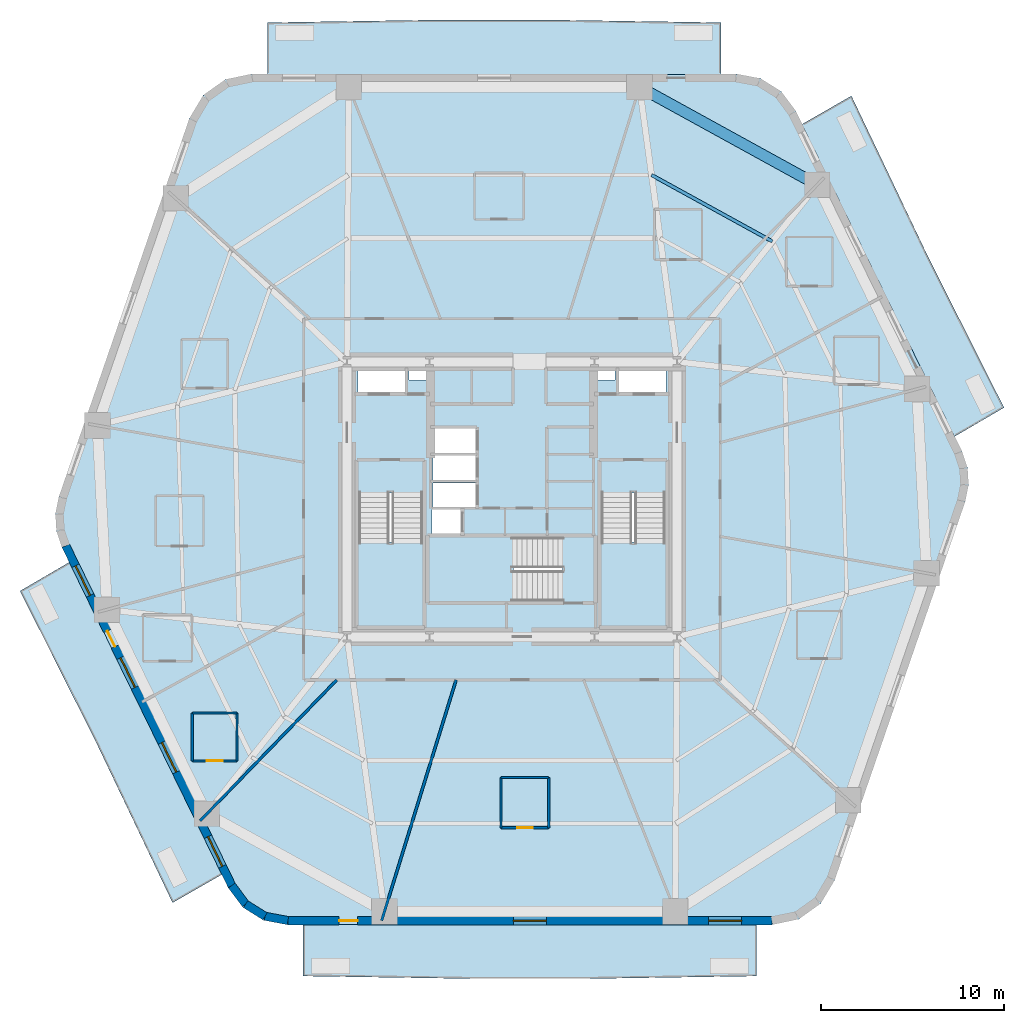
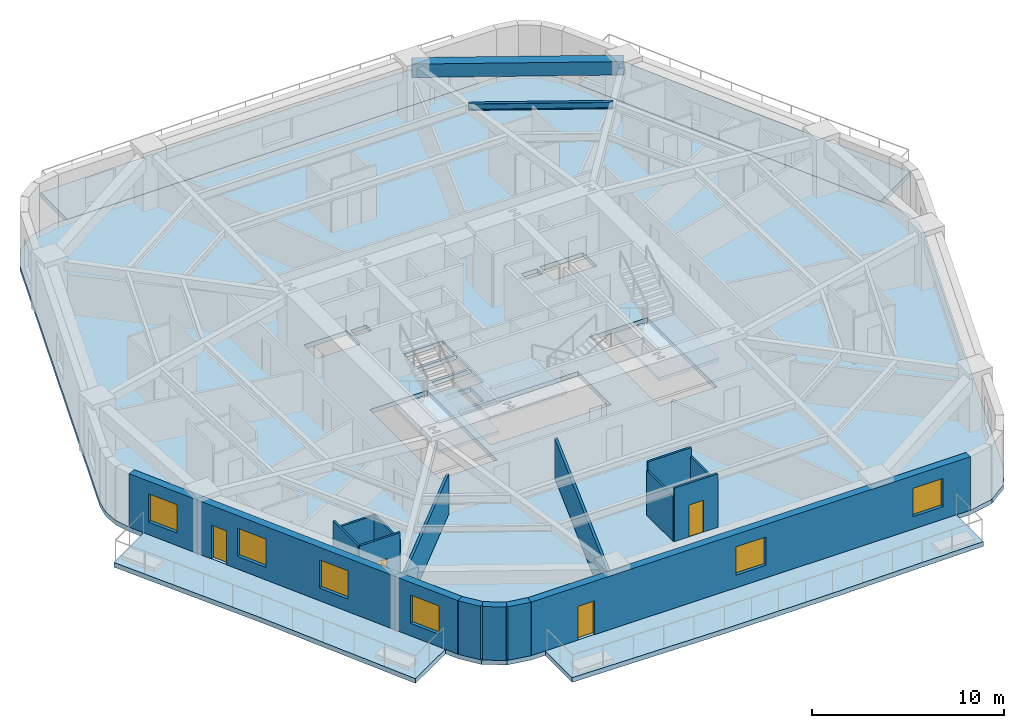
# One storey, part 2 of 10: 15 walls, 8 slabs, 6 windows, 4 doors, 2 beams, 10 openings, 3 elements without a shape of their own.
"""IFC4 building model written with IfcOpenShell, lengths in metres."""

from ifc_helpers import new_model, si_unit, direction, frame, frame_2d, origin, origin_2d, place, context, subcontext, project, spatial, polyline, rectangle, i_section, outline, extrude, material, layer, layer_set, material_profile, profile_set, type_object, element, fill, aggregate, save


model = new_model("IFC4")

# Units and contexts
model_context = context("Model", 3, precision=1e-05, world=origin(), true_north=direction((0.0, 1.0)))
body_context = subcontext(model_context, "Body", "Model", "MODEL_VIEW")
ifc_project = project(units=[si_unit("LENGTHUNIT", "METRE"), si_unit("AREAUNIT", "SQUARE_METRE"), si_unit("VOLUMEUNIT", "CUBIC_METRE"), si_unit("PLANEANGLEUNIT", "RADIAN"), si_unit("MASSUNIT", "GRAM", prefix="KILO")], contexts=[model_context])

# Site, building, storey
site_placement = place(None, origin())
site = spatial("IfcSite", under=ifc_project, at=site_placement, CompositionType="ELEMENT")
building_placement = place(site_placement, origin())
building = spatial("IfcBuilding", under=site, at=building_placement, Name="Kilnhurst Terrace Hotel", CompositionType="ELEMENT")
storey_placement = place(building_placement, frame((0.0, 0.0, 63.800048828125)))
storey = spatial("IfcBuildingStorey", under=building, at=storey_placement, Name="L14", CompositionType="ELEMENT", Elevation=63.800048828125)

# Beams
ifc_material_1 = material(Name="Concrete C50/60", Category="concrete")
ifc_material_profile_1 = material_profile(ifc_material_1, rectangle(XDim=0.60009765625, YDim=0.85009765625, at=origin_2d()), Name="RC600X850")
ifc_profile_set_1 = profile_set([ifc_material_profile_1], Name="Concrete C50/60")
beam_type_1 = type_object("IfcBeamType", Name="BM-SPN-600X850", PredefinedType="SPANDREL", material=ifc_profile_set_1)
beam_1_placement = place(storey_placement, frame((16.64306640625, 17.152099609375, 2.974853515625), z_axis=(-0.876235488803, 0.481883147829, 0.0), x_axis=(-0.481883147829, -0.876235488803, 0.0)))
element("IfcBeam", 1, at=beam_1_placement, inside=storey, type_object=beam_type_1, Name="L14 Perimeter Spandrel Beam 6", PredefinedType="SPANDREL", context=body_context, shape_type="SweptSolid", body=[
    extrude(rectangle(XDim=0.60009765625, YDim=0.85009765625, at=origin_2d()), origin(), (0.0, 0.0, 1.0), 11.056396484375),
])
ifc_material_2 = material(Name="Steel ASTM A992 Grade 50", Category="steel")
ifc_material_profile_2 = material_profile(ifc_material_2, i_section(OverallWidth=0.180908203125, OverallDepth=0.417236328125, WebThickness=0.010986328125, FlangeThickness=0.018310546875, at=origin_2d()), Name="W16X57")
ifc_profile_set_2 = profile_set([ifc_material_profile_2], Name="Steel ASTM A992 Grade 50")
beam_type_2 = type_object("IfcBeamType", Name="JST-STL-W16X57", PredefinedType="JOIST", material=ifc_profile_set_2)
beam_2_placement = place(storey_placement, frame((14.197265625, 14.0634765625, 3.19091796875), z_axis=(-0.876246073632, 0.481863900334, 0.0), x_axis=(-0.481863900334, -0.876246073632, 0.0)))
element("IfcBeam", 2, at=beam_2_placement, inside=storey, type_object=beam_type_2, Name="L14 Secondary Floor Steel Joist OUT.6", PredefinedType="JOIST", context=body_context, shape_type="SweptSolid", body=[
    extrude(i_section(OverallWidth=0.180908203125, OverallDepth=0.417236328125, WebThickness=0.010986328125, FlangeThickness=0.018310546875, at=origin_2d()), origin(), (0.0, 0.0, 1.0), 7.518310546875),
])

# Slabs
ifc_layer_1 = layer(ifc_material_1, 0.300048828125, Name="Concrete C50/60")
ifc_layer_set_1 = layer_set([ifc_layer_1], Name="Concrete C50/60")
slab_type_1 = type_object("IfcSlabType", Name="SLB-BAL-300", PredefinedType="FLOOR", material=ifc_layer_set_1)
slab_1_placement = place(storey_placement, frame((0.0, 0.0, -0.300048828125)))
element("IfcSlab", 3, at=slab_1_placement, inside=storey, type_object=slab_type_1, Name="L14 Cantilevered Planted Terrace Slab BAL-L1A", PredefinedType="FLOOR", context=body_context, shape_type="SweptSolid", body=[
    extrude(outline(polyline([(22.697021484375, 13.21142578125), (26.830810546875, 5.0), (24.128662109375, 3.42333984375), (15.809814453125, 20.452880859375), (18.509521484375, 22.0), (22.697021484375, 13.21142578125)])), origin(), (0.0, 0.0, 1.0), 0.300048828125),
])
slab_2_placement = place(storey_placement, frame((0.0, 0.0, -0.300048828125)))
element("IfcSlab", 4, at=slab_2_placement, inside=storey, type_object=slab_type_1, Name="L14 Cantilevered Planted Terrace Slab BAL-L1B", PredefinedType="FLOOR", context=body_context, shape_type="SweptSolid", body=[
    extrude(outline(polyline([(2.279541015625, 26.139892578125), (11.39208984375, 26.0), (11.39208984375, 23.179931640625), (-13.341552734375, 23.179931640625), (-13.341552734375, 26.0), (-4.229248046875, 26.139892578125), (2.279541015625, 26.139892578125)])), origin(), (0.0, 0.0, 1.0), 0.300048828125),
])
slab_3_placement = place(storey_placement, frame((0.0, 0.0, -0.300048828125)))
element("IfcSlab", 5, at=slab_3_placement, inside=storey, type_object=slab_type_1, Name="L14 Cantilevered Planted Terrace Slab BAL-L2A", PredefinedType="FLOOR", context=body_context, shape_type="SweptSolid", body=[
    extrude(outline(polyline([(-26.830810546875, -5.0), (-24.128662109375, -3.42333984375), (-15.809814453125, -20.452880859375), (-18.509521484375, -22.0), (-22.697021484375, -13.21142578125), (-26.830810546875, -5.0)])), origin(), (0.0, 0.0, 1.0), 0.300048828125),
])
slab_4_placement = place(storey_placement, frame((0.0, 0.0, -0.300048828125)))
element("IfcSlab", 6, at=slab_4_placement, inside=storey, type_object=slab_type_1, Name="L14 Cantilevered Planted Terrace Slab BAL-L2B", PredefinedType="FLOOR", context=body_context, shape_type="SweptSolid", body=[
    extrude(outline(polyline([(-2.279541015625, -26.139892578125), (-11.39208984375, -26.0), (-11.39208984375, -23.179931640625), (13.341552734375, -23.179931640625), (13.341552734375, -26.0), (4.229248046875, -26.139892578125), (-2.279541015625, -26.139892578125)])), origin(), (0.0, 0.0, 1.0), 0.300048828125),
])
ifc_layer_2 = layer(ifc_material_1, 0.280029296875, Name="Concrete C50/60")
ifc_layer_set_2 = layer_set([ifc_layer_2], Name="Concrete C50/60")
slab_type_2 = type_object("IfcSlabType", Name="SLB-FLR-280", PredefinedType="FLOOR", material=ifc_layer_set_2)
slab_5_placement = place(storey_placement, frame((0.0, 0.0, -0.280029296875)))
element("IfcSlab", 7, at=slab_5_placement, inside=storey, type_object=slab_type_2, Name="L14 Structural Floor Slab", PredefinedType="FLOOR", context=body_context, shape_type="SweptSolid", body=[
    extrude(outline(polyline([(-15.476806640625, -21.18017578125), (-14.680908203125, -22.248046875), (-13.551025390625, -22.95361328125), (-12.241943359375, -23.199951171875), (14.191650390625, -23.199951171875), (15.635986328125, -22.8974609375), (16.837890625, -22.040771484375), (17.5947265625, -20.773681640625), (24.712890625, -0.135986328125), (24.90087890625, 0.7861328125), (24.843505859375, 1.7255859375), (24.54443359375, 2.617919921875), (15.476806640625, 21.18017578125), (14.680908203125, 22.248046875), (13.551025390625, 22.95361328125), (12.241943359375, 23.199951171875), (-14.191650390625, 23.199951171875), (-15.635986328125, 22.8974609375), (-16.837890625, 22.040771484375), (-17.5947265625, 20.773681640625), (-24.712890625, 0.135986328125), (-24.90087890625, -0.7861328125), (-24.843505859375, -1.7255859375), (-24.54443359375, -2.617919921875), (-15.476806640625, -21.18017578125)]), holes=[polyline([(-8.35009765625, 0.35498046875), (-4.8798828125, 0.35498046875), (-4.8798828125, -6.89990234375), (-8.35009765625, -6.89990234375), (-8.35009765625, 0.35498046875)]), polyline([(-2.800048828125, -1.89990234375), (-4.35009765625, -1.89990234375), (-4.35009765625, -0.550048828125), (-2.800048828125, -0.550048828125), (-2.800048828125, -1.89990234375)]), polyline([(-1.949951171875, -0.429931640625), (-4.300048828125, -0.429931640625), (-4.300048828125, 0.89990234375), (-1.949951171875, 0.89990234375), (-1.949951171875, -0.429931640625)]), polyline([(-4.300048828125, 1.050048828125), (-4.300048828125, 2.3798828125), (-1.949951171875, 2.3798828125), (-1.949951171875, 1.050048828125), (-4.300048828125, 1.050048828125)]), polyline([(-8.39990234375, 5.75), (-8.39990234375, 7.14990234375), (-5.800048828125, 7.14990234375), (-5.800048828125, 5.75), (-8.39990234375, 5.75)]), polyline([(-4.659912109375, 6.52001953125), (-5.6201171875, 6.52001953125), (-5.6201171875, 7.080078125), (-4.659912109375, 7.080078125), (-4.659912109375, 6.52001953125)]), polyline([(2.7548828125, -5.550048828125), (-4.5, -5.550048828125), (-4.5, -2.080078125), (2.7548828125, -2.080078125), (2.7548828125, -5.550048828125)]), polyline([(8.35009765625, 0.35498046875), (8.35009765625, -6.89990234375), (4.8798828125, -6.89990234375), (4.8798828125, 0.35498046875), (8.35009765625, 0.35498046875)]), polyline([(-1.949951171875, 2.530029296875), (-4.300048828125, 2.530029296875), (-4.300048828125, 3.860107421875), (-1.949951171875, 3.860107421875), (-1.949951171875, 2.530029296875)]), polyline([(5.800048828125, 5.75), (5.800048828125, 7.14990234375), (8.39990234375, 7.14990234375), (8.39990234375, 5.75), (5.800048828125, 5.75)]), polyline([(4.659912109375, 6.52001953125), (4.659912109375, 7.080078125), (5.6201171875, 7.080078125), (5.6201171875, 6.52001953125), (4.659912109375, 6.52001953125)])]), origin(), (0.0, 0.0, 1.0), 0.280029296875),
])

# Stair, slab
stair_type = type_object("IfcStairType", Name="STR-CORE-1660", PredefinedType="HALF_TURN_STAIR", material=ifc_material_1)
stair_1_placement = place(storey_placement, origin())
stair_1 = element("IfcStair", 8, at=stair_1_placement, inside=storey, type_object=stair_type, Name="L14 ST-1", PredefinedType="HALF_TURN_STAIR")
ifc_layer_3 = layer(ifc_material_1, 0.199951171875, Name="Concrete C50/60")
ifc_layer_set_3 = layer_set([ifc_layer_3], Name="Concrete C50/60")
slab_type_3 = type_object("IfcSlabType", Name="SLB-ST-LND-200", PredefinedType="LANDING", material=ifc_layer_set_3)
slab_6_placement = place(storey_placement, frame((0.0, 0.0, 1.64990234375)))
slab_6 = element("IfcSlab", 9, at=slab_6_placement, type_object=slab_type_3, Name="ST-1 landing 1", PredefinedType="LANDING", context=body_context, shape_type="SweptSolid", body=[
    extrude(outline(polyline([(-8.429931640625, -2.330078125), (-4.800048828125, -2.330078125), (-4.800048828125, -6.97998046875), (-8.429931640625, -6.97998046875), (-8.429931640625, -2.330078125)])), origin(), (0.0, 0.0, 1.0), 0.199951171875),
])
aggregate(stair_1, [slab_6])

stair_2_placement = place(storey_placement, origin())
stair_2 = element("IfcStair", 10, at=stair_2_placement, inside=storey, type_object=stair_type, Name="L14 ST-2", PredefinedType="HALF_TURN_STAIR")
slab_7_placement = place(storey_placement, frame((0.0, 0.0, 1.64990234375)))
slab_7 = element("IfcSlab", 11, at=slab_7_placement, type_object=slab_type_3, Name="ST-2 landing 1", PredefinedType="LANDING", context=body_context, shape_type="SweptSolid", body=[
    extrude(outline(polyline([(4.800048828125, -2.330078125), (8.429931640625, -2.330078125), (8.429931640625, -6.97998046875), (4.800048828125, -6.97998046875), (4.800048828125, -2.330078125)])), origin(), (0.0, 0.0, 1.0), 0.199951171875),
])
aggregate(stair_2, [slab_7])

stair_3_placement = place(storey_placement, origin())
stair_3 = element("IfcStair", 12, at=stair_3_placement, inside=storey, type_object=stair_type, Name="L14 ST-3", PredefinedType="HALF_TURN_STAIR")
slab_8_placement = place(storey_placement, frame((0.0, 0.0, 1.64990234375)))
slab_8 = element("IfcSlab", 13, at=slab_8_placement, type_object=slab_type_3, Name="ST-3 landing 1", PredefinedType="LANDING", context=body_context, shape_type="SweptSolid", body=[
    extrude(outline(polyline([(0.070068359375, -2.0), (0.070068359375, -5.6298828125), (-4.580078125, -5.6298828125), (-4.580078125, -2.0), (0.070068359375, -2.0)])), origin(), (0.0, 0.0, 1.0), 0.199951171875),
])
aggregate(stair_3, [slab_8])

# Walls
ifc_material_3 = material(Name="Precast concrete C40/50", Category="concrete")
ifc_layer_4 = layer(ifc_material_3, 0.449951171875, Name="Precast concrete C40/50")
ifc_layer_set_4 = layer_set([ifc_layer_4], Name="Precast concrete C40/50")
wall_type_1 = type_object("IfcWallType", Name="WL-BRK-450", PredefinedType="SOLIDWALL", material=ifc_layer_set_4)
wall_1_placement = place(storey_placement, frame((-15.28369140625, -21.0625, 0.0), z_axis=(0.0, 0.0, 1.0), x_axis=(0.597595366449, -0.801797841104, 0.0)))
element("IfcWall", 14, at=wall_1_placement, inside=storey, type_object=wall_type_1, Name="L14 Rounded Corner Brick Wall C1.1", PredefinedType="SOLIDWALL", context=body_context, shape_type="SweptSolid", body=[
    extrude(rectangle(XDim=1.2685546875, YDim=0.449951171875, at=frame_2d((0.63427734375, 0.0))), origin(), (0.0, 0.0, 1.0), 3.39990234375),
])
wall_2_placement = place(storey_placement, frame((-14.525634765625, -22.07958984375, 0.0), z_axis=(0.0, 0.0, 1.0), x_axis=(0.848185203596, -0.529699783275, 0.0)))
element("IfcWall", 15, at=wall_2_placement, inside=storey, type_object=wall_type_1, Name="L14 Rounded Corner Brick Wall C1.2", PredefinedType="SOLIDWALL", context=body_context, shape_type="SweptSolid", body=[
    extrude(rectangle(XDim=1.247314453125, YDim=0.449951171875, at=frame_2d((0.62353515625, 0.0))), origin(), (0.0, 0.0, 1.0), 3.39990234375),
])
wall_3_placement = place(storey_placement, frame((-13.4677734375, -22.740234375, 0.0), z_axis=(0.0, 0.0, 1.0), x_axis=(0.982717174228, -0.185113358451, 0.0)))
element("IfcWall", 16, at=wall_3_placement, inside=storey, type_object=wall_type_1, Name="L14 Rounded Corner Brick Wall C1.3", PredefinedType="SOLIDWALL", context=body_context, shape_type="SweptSolid", body=[
    extrude(rectangle(XDim=1.268798828125, YDim=0.449951171875, at=frame_2d((0.63427734375, 0.0))), origin(), (0.0, 0.0, 1.0), 3.39990234375),
])

# Wall, openings, door, windows
wall_4_placement = place(storey_placement, frame((-12.220947265625, -22.97509765625, 0.0), z_axis=(0.0, 0.0, 1.0), x_axis=(1.0, 0.0, 0.0)))
wall_4 = element("IfcWall", 17, at=wall_4_placement, inside=storey, type_object=wall_type_1, Name="L14 Exterior Brick Facade Wall F1", PredefinedType="SOLIDWALL", context=body_context, shape_type="SweptSolid", body=[
    extrude(rectangle(XDim=26.38916015625, YDim=0.449951171875, at=frame_2d((13.194580078125, 0.0))), origin(), (0.0, 0.0, 1.0), 3.39990234375),
])
opening_1_placement = place(wall_4_placement, frame((2.799072265625, 0.0, 0.0)))
opening_1 = element("IfcOpeningElement", 18, at=opening_1_placement, cuts=wall_4, Name="Opening BD-1000", PredefinedType="OPENING", context=body_context, shape_type="SweptSolid", body=[
    extrude(rectangle(XDim=1.0, YDim=2.14990234375, at=frame_2d((0.5, 1.074951171875))), frame((0.0, 0.23486328125, 0.0), z_axis=(0.0, -1.0, 0.0), x_axis=(1.0, 0.0, 0.0)), (0.0, 0.0, 1.0), 0.469970703125),
])
opening_2_placement = place(wall_4_placement, frame((12.2958984375, 0.0, 0.800048828125)))
opening_2 = element("IfcOpeningElement", 19, at=opening_2_placement, cuts=wall_4, Name="Opening W-01", PredefinedType="OPENING", context=body_context, shape_type="SweptSolid", body=[
    extrude(rectangle(XDim=1.800048828125, YDim=1.800048828125, at=frame_2d((0.89990234375, 0.89990234375))), frame((0.0, 0.23486328125, 0.0), z_axis=(0.0, -1.0, 0.0), x_axis=(1.0, 0.0, 0.0)), (0.0, 0.0, 1.0), 0.469970703125),
])
opening_3_placement = place(wall_4_placement, frame((22.93798828125, 0.0, 0.800048828125)))
opening_3 = element("IfcOpeningElement", 20, at=opening_3_placement, cuts=wall_4, Name="Opening W-01", PredefinedType="OPENING", context=body_context, shape_type="SweptSolid", body=[
    extrude(rectangle(XDim=1.800048828125, YDim=1.800048828125, at=frame_2d((0.89990234375, 0.89990234375))), frame((0.0, 0.23486328125, 0.0), z_axis=(0.0, -1.0, 0.0), x_axis=(1.0, 0.0, 0.0)), (0.0, 0.0, 1.0), 0.469970703125),
])
ifc_material_4 = material(Name="Thermally Broken Bronze Aluminium Alloy 6063-T6 and Laminated Glass", Category="aluminium")
door_type_1 = type_object("IfcDoorType", Name="DR-EXT-BAL-1000", OperationType="NOTDEFINED", PredefinedType="DOOR", material=ifc_material_4)
door_1_placement = place(opening_1_placement, origin())
door_1 = element("IfcDoor", 21, at=door_1_placement, inside=storey, type_object=door_type_1, Name="L14 Planted Balcony Door BAL-L2B", OperationType="SINGLE_SWING_LEFT", OverallHeight=2.14990234375, OverallWidth=1.0, PredefinedType="DOOR", context=body_context, shape_type="SweptSolid", body=[
    extrude(rectangle(XDim=1.0, YDim=2.14990234375, at=frame_2d((0.5, 1.074951171875))), frame((0.0, 0.02490234375, 0.0), z_axis=(0.0, -1.0, 0.0), x_axis=(1.0, 0.0, 0.0)), (0.0, 0.0, 1.0), 0.050048828125),
])
fill(opening_1, door_1)
ifc_material_5 = material(Name="Thermally Broken Bronze Aluminium Alloy 6063-T6 and Low-E Glass", Category="aluminium")
window_type = type_object("IfcWindowType", Name="WIN-1800X1800", PartitioningType="SINGLE_PANEL", PredefinedType="WINDOW", material=ifc_material_5)
window_1_placement = place(opening_2_placement, origin())
window_1 = element("IfcWindow", 22, at=window_1_placement, inside=storey, type_object=window_type, Name="L14 Deep-Set Masonry Window F1.1", OverallHeight=1.800048828125, OverallWidth=1.800048828125, PartitioningType="SINGLE_PANEL", PredefinedType="WINDOW", context=body_context, shape_type="SweptSolid", body=[
    extrude(rectangle(XDim=1.800048828125, YDim=1.800048828125, at=frame_2d((0.89990234375, 0.89990234375))), frame((0.0, 0.030029296875, 0.0), z_axis=(0.0, -1.0, 0.0), x_axis=(1.0, 0.0, 0.0)), (0.0, 0.0, 1.0), 0.06005859375),
])
fill(opening_2, window_1)
window_2_placement = place(opening_3_placement, origin())
window_2 = element("IfcWindow", 23, at=window_2_placement, inside=storey, type_object=window_type, Name="L14 Deep-Set Masonry Window F1.2", OverallHeight=1.800048828125, OverallWidth=1.800048828125, PartitioningType="SINGLE_PANEL", PredefinedType="WINDOW", context=body_context, shape_type="SweptSolid", body=[
    extrude(rectangle(XDim=1.800048828125, YDim=1.800048828125, at=frame_2d((0.89990234375, 0.89990234375))), frame((0.0, 0.030029296875, 0.0), z_axis=(0.0, -1.0, 0.0), x_axis=(1.0, 0.0, 0.0)), (0.0, 0.0, 1.0), 0.06005859375),
])
fill(opening_3, window_2)

wall_5_placement = place(storey_placement, frame((-24.335693359375, -2.532470703125, 0.0), z_axis=(0.0, 0.0, 1.0), x_axis=(0.438931326393, -0.898520612291, 0.0)))
wall_5 = element("IfcWall", 24, at=wall_5_placement, inside=storey, type_object=wall_type_1, Name="L14 Exterior Brick Facade Wall F6", PredefinedType="SOLIDWALL", context=body_context, shape_type="SweptSolid", body=[
    extrude(rectangle(XDim=20.622802734375, YDim=0.449951171875, at=frame_2d((10.3115234375, 0.0))), origin(), (0.0, 0.0, 1.0), 3.39990234375),
])
opening_4_placement = place(wall_5_placement, frame((5.1708984375, 0.0, 0.0)))
opening_4 = element("IfcOpeningElement", 25, at=opening_4_placement, cuts=wall_5, Name="Opening BD-950", PredefinedType="OPENING", context=body_context, shape_type="SweptSolid", body=[
    extrude(rectangle(XDim=0.949951171875, YDim=2.14990234375, at=frame_2d((0.47509765625, 1.074951171875))), frame((0.0, 0.23486328125, 0.0), z_axis=(0.0, -1.0, 0.0), x_axis=(1.0, 0.0, 0.0)), (0.0, 0.0, 1.0), 0.469970703125),
])
opening_5_placement = place(wall_5_placement, frame((1.214111328125, 0.0, 0.800048828125)))
opening_5 = element("IfcOpeningElement", 26, at=opening_5_placement, cuts=wall_5, Name="Opening W-01", PredefinedType="OPENING", context=body_context, shape_type="SweptSolid", body=[
    extrude(rectangle(XDim=1.800048828125, YDim=1.800048828125, at=frame_2d((0.89990234375, 0.89990234375))), frame((0.0, 0.23486328125, 0.0), z_axis=(0.0, -1.0, 0.0), x_axis=(1.0, 0.0, 0.0)), (0.0, 0.0, 1.0), 0.469970703125),
])
opening_6_placement = place(wall_5_placement, frame((6.800048828125, 0.0, 0.800048828125)))
opening_6 = element("IfcOpeningElement", 27, at=opening_6_placement, cuts=wall_5, Name="Opening W-01", PredefinedType="OPENING", context=body_context, shape_type="SweptSolid", body=[
    extrude(rectangle(XDim=1.800048828125, YDim=1.800048828125, at=frame_2d((0.89990234375, 0.89990234375))), frame((0.0, 0.23486328125, 0.0), z_axis=(0.0, -1.0, 0.0), x_axis=(1.0, 0.0, 0.0)), (0.0, 0.0, 1.0), 0.469970703125),
])
opening_7_placement = place(wall_5_placement, frame((11.94189453125, 0.0, 0.800048828125)))
opening_7 = element("IfcOpeningElement", 28, at=opening_7_placement, cuts=wall_5, Name="Opening W-01", PredefinedType="OPENING", context=body_context, shape_type="SweptSolid", body=[
    extrude(rectangle(XDim=1.800048828125, YDim=1.800048828125, at=frame_2d((0.89990234375, 0.89990234375))), frame((0.0, 0.23486328125, 0.0), z_axis=(0.0, -1.0, 0.0), x_axis=(1.0, 0.0, 0.0)), (0.0, 0.0, 1.0), 0.469970703125),
])
opening_8_placement = place(wall_5_placement, frame((17.659912109375, 0.0, 0.800048828125)))
opening_8 = element("IfcOpeningElement", 29, at=opening_8_placement, cuts=wall_5, Name="Opening W-01", PredefinedType="OPENING", context=body_context, shape_type="SweptSolid", body=[
    extrude(rectangle(XDim=1.800048828125, YDim=1.800048828125, at=frame_2d((0.89990234375, 0.89990234375))), frame((0.0, 0.23486328125, 0.0), z_axis=(0.0, -1.0, 0.0), x_axis=(1.0, 0.0, 0.0)), (0.0, 0.0, 1.0), 0.469970703125),
])
door_type_2 = type_object("IfcDoorType", Name="DR-EXT-BAL-950", OperationType="NOTDEFINED", PredefinedType="DOOR", material=ifc_material_4)
door_2_placement = place(opening_4_placement, origin())
door_2 = element("IfcDoor", 30, at=door_2_placement, inside=storey, type_object=door_type_2, Name="L14 Planted Balcony Door BAL-L2A", OperationType="SINGLE_SWING_RIGHT", OverallHeight=2.14990234375, OverallWidth=0.949951171875, PredefinedType="DOOR", context=body_context, shape_type="SweptSolid", body=[
    extrude(rectangle(XDim=0.949951171875, YDim=2.14990234375, at=frame_2d((0.47509765625, 1.074951171875))), frame((0.0, 0.02490234375, 0.0), z_axis=(0.0, -1.0, 0.0), x_axis=(1.0, 0.0, 0.0)), (0.0, 0.0, 1.0), 0.050048828125),
])
fill(opening_4, door_2)
window_3_placement = place(opening_5_placement, origin())
window_3 = element("IfcWindow", 31, at=window_3_placement, inside=storey, type_object=window_type, Name="L14 Deep-Set Masonry Window F6.1", OverallHeight=1.800048828125, OverallWidth=1.800048828125, PartitioningType="SINGLE_PANEL", PredefinedType="WINDOW", context=body_context, shape_type="SweptSolid", body=[
    extrude(rectangle(XDim=1.800048828125, YDim=1.800048828125, at=frame_2d((0.89990234375, 0.89990234375))), frame((0.0, 0.030029296875, 0.0), z_axis=(0.0, -1.0, 0.0), x_axis=(1.0, 0.0, 0.0)), (0.0, 0.0, 1.0), 0.06005859375),
])
fill(opening_5, window_3)
window_4_placement = place(opening_6_placement, origin())
window_4 = element("IfcWindow", 32, at=window_4_placement, inside=storey, type_object=window_type, Name="L14 Deep-Set Masonry Window F6.2", OverallHeight=1.800048828125, OverallWidth=1.800048828125, PartitioningType="SINGLE_PANEL", PredefinedType="WINDOW", context=body_context, shape_type="SweptSolid", body=[
    extrude(rectangle(XDim=1.800048828125, YDim=1.800048828125, at=frame_2d((0.89990234375, 0.89990234375))), frame((0.0, 0.030029296875, 0.0), z_axis=(0.0, -1.0, 0.0), x_axis=(1.0, 0.0, 0.0)), (0.0, 0.0, 1.0), 0.06005859375),
])
fill(opening_6, window_4)
window_5_placement = place(opening_7_placement, origin())
window_5 = element("IfcWindow", 33, at=window_5_placement, inside=storey, type_object=window_type, Name="L14 Deep-Set Masonry Window F6.3", OverallHeight=1.800048828125, OverallWidth=1.800048828125, PartitioningType="SINGLE_PANEL", PredefinedType="WINDOW", context=body_context, shape_type="SweptSolid", body=[
    extrude(rectangle(XDim=1.800048828125, YDim=1.800048828125, at=frame_2d((0.89990234375, 0.89990234375))), frame((0.0, 0.030029296875, 0.0), z_axis=(0.0, -1.0, 0.0), x_axis=(1.0, 0.0, 0.0)), (0.0, 0.0, 1.0), 0.06005859375),
])
fill(opening_7, window_5)
window_6_placement = place(opening_8_placement, origin())
window_6 = element("IfcWindow", 34, at=window_6_placement, inside=storey, type_object=window_type, Name="L14 Deep-Set Masonry Window F6.4", OverallHeight=1.800048828125, OverallWidth=1.800048828125, PartitioningType="SINGLE_PANEL", PredefinedType="WINDOW", context=body_context, shape_type="SweptSolid", body=[
    extrude(rectangle(XDim=1.800048828125, YDim=1.800048828125, at=frame_2d((0.89990234375, 0.89990234375))), frame((0.0, 0.030029296875, 0.0), z_axis=(0.0, -1.0, 0.0), x_axis=(1.0, 0.0, 0.0)), (0.0, 0.0, 1.0), 0.06005859375),
])
fill(opening_8, window_6)

# Walls
ifc_material_6 = material(Name="STC-58 Acoustic Twin-Frame Guestroom Demising Partition")
ifc_layer_5 = layer(ifc_material_6, 0.14990234375, Name="STC-58 Acoustic Twin-Frame Guestroom Demising Partition")
ifc_layer_set_5 = layer_set([ifc_layer_5], Name="STC-58 Acoustic Twin-Frame Guestroom Demising Partition")
wall_type_2 = type_object("IfcWallType", Name="WL-DEM-150", PredefinedType="PARTITIONING", material=ifc_layer_set_5)
wall_6_placement = place(storey_placement, frame((-9.5576171875, -9.85009765625, 0.0), z_axis=(0.0, 0.0, 1.0), x_axis=(-0.69638346089, -0.717669893056, 0.0)))
element("IfcWall", 35, at=wall_6_placement, inside=storey, type_object=wall_type_2, Name="L14 Interior Wall WL-L14-DEM-COL08-10-1", PredefinedType="PARTITIONING", context=body_context, shape_type="SweptSolid", body=[
    extrude(rectangle(XDim=10.700927734375, YDim=0.14990234375, at=frame_2d((5.3505859375, 0.0))), origin(), (0.0, 0.0, 1.0), 2.5400390625),
])
wall_7_placement = place(storey_placement, frame((-3.047607421875, -9.85009765625, 0.0), z_axis=(0.0, 0.0, 1.0), x_axis=(-0.295553992761, -0.955326037206, 0.0)))
element("IfcWall", 36, at=wall_7_placement, inside=storey, type_object=wall_type_2, Name="L14 Interior Wall WL-L14-DEM-COL09-11-1", PredefinedType="PARTITIONING", context=body_context, shape_type="SweptSolid", body=[
    extrude(rectangle(XDim=13.73876953125, YDim=0.14990234375, at=frame_2d((6.869384765625, 0.0))), origin(), (0.0, 0.0, 1.0), 2.5400390625),
])

# Wall, opening, door
ifc_material_7 = material(Name="120 mm Moisture-Resistant Tile-Backed Bathroom Partition")
ifc_layer_6 = layer(ifc_material_7, 0.1201171875, Name="120 mm Moisture-Resistant Tile-Backed Bathroom Partition")
ifc_layer_set_6 = layer_set([ifc_layer_6], Name="120 mm Moisture-Resistant Tile-Backed Bathroom Partition")
wall_type_3 = type_object("IfcWallType", Name="WL-PART-120", PredefinedType="PARTITIONING", material=ifc_layer_set_6)
wall_8_placement = place(storey_placement, frame((-17.431884765625, -14.262939453125, 0.0), z_axis=(0.0, 0.0, 1.0), x_axis=(1.0, 0.0, 0.0)))
wall_8 = element("IfcWall", 37, at=wall_8_placement, inside=storey, type_object=wall_type_3, Name="L14 Interior Wall WL-L14-BTH-09-1", PredefinedType="PARTITIONING", context=body_context, shape_type="SweptSolid", body=[
    extrude(rectangle(XDim=2.43994140625, YDim=0.1201171875, at=frame_2d((1.219970703125, 0.0))), origin(), (0.0, 0.0, 1.0), 3.39990234375),
])
opening_9_placement = place(wall_8_placement, frame((0.794921875, 0.0, 0.0)))
opening_9 = element("IfcOpeningElement", 38, at=opening_9_placement, cuts=wall_8, Name="Opening D-08A", PredefinedType="OPENING", context=body_context, shape_type="SweptSolid", body=[
    extrude(rectangle(XDim=0.85009765625, YDim=2.030029296875, at=frame_2d((0.425048828125, 1.01513671875))), frame((0.0, 0.070068359375, 0.0), z_axis=(0.0, -1.0, 0.0), x_axis=(1.0, 0.0, 0.0)), (0.0, 0.0, 1.0), 0.14013671875),
])
ifc_material_8 = material(Name="Moisture-Resistant Lacquered En-suite Bathroom Door")
door_type_3 = type_object("IfcDoorType", Name="DR-INT-850", OperationType="NOTDEFINED", PredefinedType="DOOR", material=ifc_material_8)
door_3_placement = place(opening_9_placement, origin())
door_3 = element("IfcDoor", 39, at=door_3_placement, inside=storey, type_object=door_type_3, Name="L14 En-suite Bathroom Door 9", OperationType="SINGLE_SWING_RIGHT", OverallHeight=2.030029296875, OverallWidth=0.85009765625, PredefinedType="DOOR", context=body_context, shape_type="SweptSolid", body=[
    extrude(rectangle(XDim=0.85009765625, YDim=2.030029296875, at=frame_2d((0.425048828125, 1.01513671875))), frame((0.0, 0.02490234375, 0.0), z_axis=(0.0, -1.0, 0.0), x_axis=(1.0, 0.0, 0.0)), (0.0, 0.0, 1.0), 0.050048828125),
])
fill(opening_9, door_3)

# Walls
wall_9_placement = place(storey_placement, frame((-14.991943359375, -14.262939453125, 0.0), z_axis=(0.0, 0.0, 1.0), x_axis=(0.0, 1.0, 0.0)))
element("IfcWall", 40, at=wall_9_placement, inside=storey, type_object=wall_type_3, Name="L14 Interior Wall WL-L14-BTH-09-2", PredefinedType="PARTITIONING", context=body_context, shape_type="SweptSolid", body=[
    extrude(rectangle(XDim=2.60986328125, YDim=0.1201171875, at=frame_2d((1.304931640625, 0.0))), origin(), (0.0, 0.0, 1.0), 2.926513671875),
])
wall_10_placement = place(storey_placement, frame((-14.991943359375, -11.653076171875, 0.0), z_axis=(0.0, 0.0, 1.0), x_axis=(-1.0, 0.0, 0.0)))
element("IfcWall", 41, at=wall_10_placement, inside=storey, type_object=wall_type_3, Name="L14 Interior Wall WL-L14-BTH-09-3", PredefinedType="PARTITIONING", context=body_context, shape_type="SweptSolid", body=[
    extrude(rectangle(XDim=2.43994140625, YDim=0.1201171875, at=frame_2d((1.219970703125, 0.0))), origin(), (0.0, 0.0, 1.0), 2.926513671875),
])
wall_11_placement = place(storey_placement, frame((-17.431884765625, -11.653076171875, 0.0), z_axis=(0.0, 0.0, 1.0), x_axis=(0.0, -1.0, 0.0)))
element("IfcWall", 42, at=wall_11_placement, inside=storey, type_object=wall_type_3, Name="L14 Interior Wall WL-L14-BTH-09-4", PredefinedType="PARTITIONING", context=body_context, shape_type="SweptSolid", body=[
    extrude(rectangle(XDim=2.60986328125, YDim=0.1201171875, at=frame_2d((1.304931640625, 0.0))), origin(), (0.0, 0.0, 1.0), 3.39990234375),
])

# Wall, opening, door
wall_12_placement = place(storey_placement, frame((-0.597900390625, -17.912109375, 0.0), z_axis=(0.0, 0.0, 1.0), x_axis=(1.0, 0.0, 0.0)))
wall_12 = element("IfcWall", 43, at=wall_12_placement, inside=storey, type_object=wall_type_3, Name="L14 Interior Wall WL-L14-BTH-11-1", PredefinedType="PARTITIONING", context=body_context, shape_type="SweptSolid", body=[
    extrude(rectangle(XDim=2.599853515625, YDim=0.1201171875, at=frame_2d((1.2998046875, 0.0))), origin(), (0.0, 0.0, 1.0), 3.39990234375),
])
opening_10_placement = place(wall_12_placement, frame((0.875, 0.0, 0.0)))
opening_10 = element("IfcOpeningElement", 44, at=opening_10_placement, cuts=wall_12, Name="Opening D-08A", PredefinedType="OPENING", context=body_context, shape_type="SweptSolid", body=[
    extrude(rectangle(XDim=0.85009765625, YDim=2.030029296875, at=frame_2d((0.425048828125, 1.01513671875))), frame((0.0, 0.070068359375, 0.0), z_axis=(0.0, -1.0, 0.0), x_axis=(1.0, 0.0, 0.0)), (0.0, 0.0, 1.0), 0.14013671875),
])
door_4_placement = place(opening_10_placement, origin())
door_4 = element("IfcDoor", 45, at=door_4_placement, inside=storey, type_object=door_type_3, Name="L14 En-suite Bathroom Door 11", OperationType="SINGLE_SWING_RIGHT", OverallHeight=2.030029296875, OverallWidth=0.85009765625, PredefinedType="DOOR", context=body_context, shape_type="SweptSolid", body=[
    extrude(rectangle(XDim=0.85009765625, YDim=2.030029296875, at=frame_2d((0.425048828125, 1.01513671875))), frame((0.0, 0.02490234375, 0.0), z_axis=(0.0, -1.0, 0.0), x_axis=(1.0, 0.0, 0.0)), (0.0, 0.0, 1.0), 0.050048828125),
])
fill(opening_10, door_4)

# Walls
wall_13_placement = place(storey_placement, frame((2.001953125, -17.912109375, 0.0), z_axis=(0.0, 0.0, 1.0), x_axis=(0.0, 1.0, 0.0)))
element("IfcWall", 46, at=wall_13_placement, inside=storey, type_object=wall_type_3, Name="L14 Interior Wall WL-L14-BTH-11-2", PredefinedType="PARTITIONING", context=body_context, shape_type="SweptSolid", body=[
    extrude(rectangle(XDim=2.75, YDim=0.1201171875, at=frame_2d((1.375, 0.0))), origin(), (0.0, 0.0, 1.0), 2.84033203125),
])
wall_14_placement = place(storey_placement, frame((2.001953125, -15.162109375, 0.0), z_axis=(0.0, 0.0, 1.0), x_axis=(-1.0, 0.0, 0.0)))
element("IfcWall", 47, at=wall_14_placement, inside=storey, type_object=wall_type_3, Name="L14 Interior Wall WL-L14-BTH-11-3", PredefinedType="PARTITIONING", context=body_context, shape_type="SweptSolid", body=[
    extrude(rectangle(XDim=2.599853515625, YDim=0.1201171875, at=frame_2d((1.2998046875, 0.0))), origin(), (0.0, 0.0, 1.0), 3.39990234375),
])
wall_15_placement = place(storey_placement, frame((-0.597900390625, -15.162109375, 0.0), z_axis=(0.0, 0.0, 1.0), x_axis=(0.0, -1.0, 0.0)))
element("IfcWall", 48, at=wall_15_placement, inside=storey, type_object=wall_type_3, Name="L14 Interior Wall WL-L14-BTH-11-4", PredefinedType="PARTITIONING", context=body_context, shape_type="SweptSolid", body=[
    extrude(rectangle(XDim=2.75, YDim=0.1201171875, at=frame_2d((1.375, 0.0))), origin(), (0.0, 0.0, 1.0), 2.84033203125),
])

save(model, "model.ifc")
